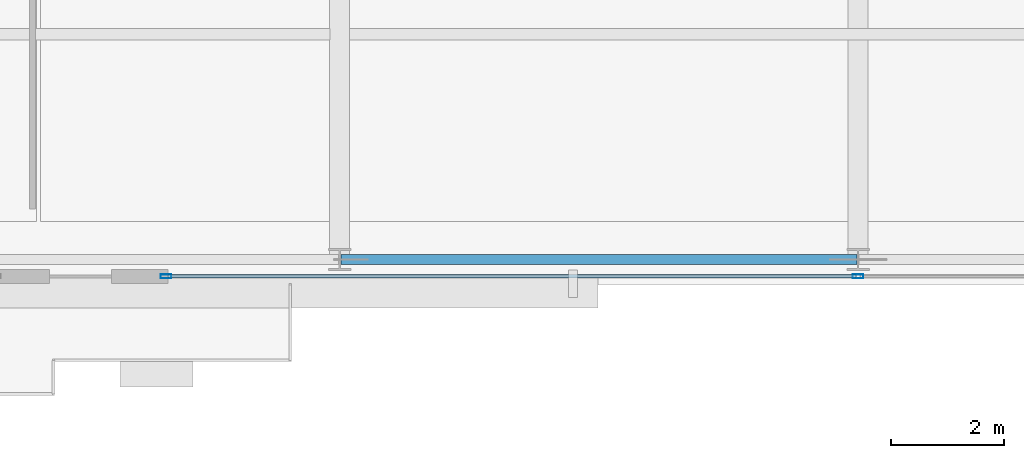
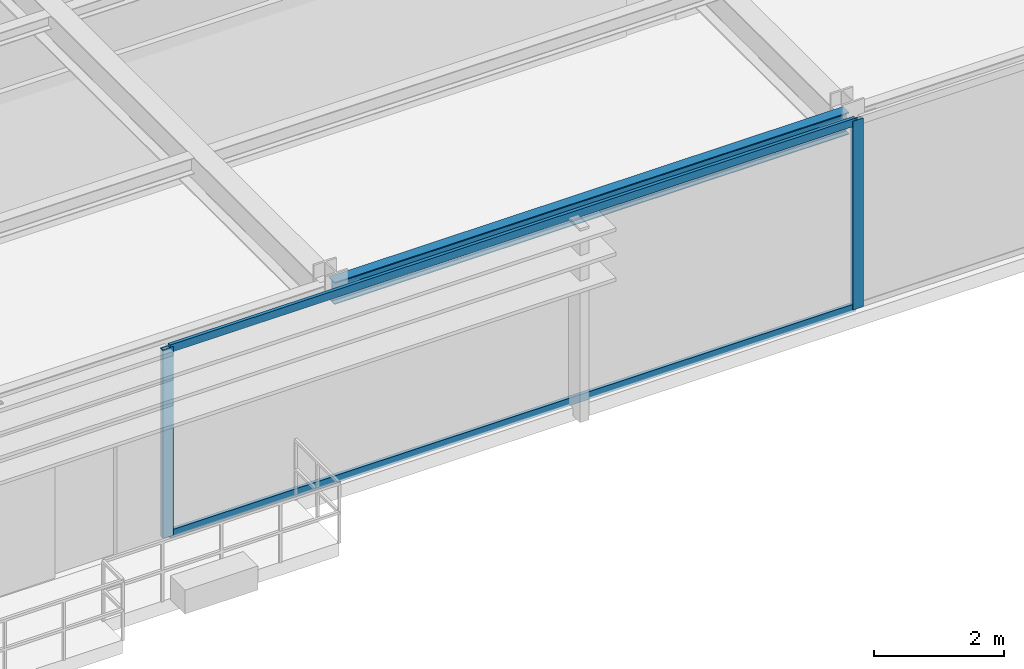
# One storey, part 6 of 36: 4 members, 1 beam, 1 element without a shape of its own.
"""IFC4 building model written with IfcOpenShell, lengths in metres."""

from ifc_helpers import new_model, si_unit, direction, frame, origin, origin_2d, place, context, subcontext, project, spatial, hollow_rectangle, i_section, extrude, source, transform, mapped, material, layer, layer_set, material_profile, profile_set, type_object, type_shapes, element, aggregate, save


model = new_model("IFC4")

# Units and contexts
model_context = context("Model", 3, precision=1e-05, world=origin(), true_north=direction((0.0, 1.0)))
body_context = subcontext(model_context, "Body", "Model", "MODEL_VIEW")
ifc_project = project(units=[si_unit("LENGTHUNIT", "METRE"), si_unit("AREAUNIT", "SQUARE_METRE"), si_unit("VOLUMEUNIT", "CUBIC_METRE"), si_unit("PLANEANGLEUNIT", "RADIAN"), si_unit("MASSUNIT", "GRAM", prefix="KILO")], contexts=[model_context])

# Site, building, storey
site_placement = place(None, origin())
site = spatial("IfcSite", under=ifc_project, at=site_placement, CompositionType="ELEMENT")
building_placement = place(site_placement, origin())
building = spatial("IfcBuilding", under=site, at=building_placement, Name="Varnel Quay Broadcast Tower", CompositionType="ELEMENT")
storey_placement = place(building_placement, frame((0.0, 0.0, 114.39990234375)))
storey = spatial("IfcBuildingStorey", under=building, at=storey_placement, Name="L27", CompositionType="ELEMENT", Elevation=114.39990234375)

# Beam
ifc_material_1 = material(Name="Structural Steel CSA G40.21 350W", Category="steel")
ifc_material_profile_1 = material_profile(ifc_material_1, i_section(OverallWidth=0.180908203125, OverallDepth=0.4169921875, WebThickness=0.010986328125, FlangeThickness=0.018310546875, FilletRadius=0.011962890625, at=origin_2d()), Name="W410X85")
ifc_profile_set_1 = profile_set([ifc_material_profile_1], Name="Structural Steel CSA G40.21 350W")
beam_type = type_object("IfcBeamType", Name="Beam_W410X85", PredefinedType="SPANDREL", material=ifc_profile_set_1)
shared_shape_1 = source(origin(), body_context, "Body", "SweptSolid", [
    extrude(i_section(OverallWidth=0.180908203125, OverallDepth=0.4169921875, WebThickness=0.010986328125, FlangeThickness=0.018310546875, FilletRadius=0.011962890625, at=origin_2d()), origin(), (0.0, 0.0, 1.0), 9.159912109375),
])
type_shapes(beam_type, [shared_shape_1])
beam_placement = place(storey_placement, frame((24.820068359375, 4.64990234375, 3.341552734375), z_axis=(1.0, 0.0, 0.0), x_axis=(0.0, 1.0, 0.0)))
element("IfcBeam", 1, at=beam_placement, inside=storey, type_object=beam_type, Name="L27 South Spandrel TC-S2-TC-S3", PredefinedType="SPANDREL", context=body_context, shape_type="MappedRepresentation", body=[
    mapped(shared_shape_1, transform((0.0, 0.0, 0.0), x_axis=(1.0, 0.0, 0.0), y_axis=(0.0, 1.0, 0.0), z_axis=(0.0, 0.0, 1.0), scale=1.0)),
])

# Curtain wall, members
ifc_material_2 = material(Name="Anodised Bronze Aluminium 6063-T6", Category="aluminium")
ifc_layer = layer(ifc_material_2, 0.18994140625, Name="Anodised Bronze Aluminium 6063-T6")
ifc_layer_set = layer_set([ifc_layer], Name="Anodised Bronze Aluminium 6063-T6")
curtain_wall_type = type_object("IfcCurtainWallType", Name="CW_LowerTower", PredefinedType="NOTDEFINED", material=ifc_layer_set)
curtain_wall_placement = place(storey_placement, origin())
curtain_wall = element("IfcCurtainWall", 2, at=curtain_wall_placement, inside=storey, type_object=curtain_wall_type, Name="L27 South Unitised Curtain Wall 2", PredefinedType="NOTDEFINED")
ifc_material_profile_2 = material_profile(ifc_material_2, hollow_rectangle(XDim=0.06005859375, YDim=0.14501953125, WallThickness=0.00341796875, at=origin_2d()), Name="ALU60X145X3.5")
ifc_profile_set_2 = profile_set([ifc_material_profile_2], Name="Anodised Bronze Aluminium 6063-T6")
member_type_1 = type_object("IfcMemberType", Name="Tran_CWS-02", PredefinedType="USERDEFINED", material=ifc_profile_set_2)
shared_shape_2 = source(origin(), body_context, "Body", "SweptSolid", [
    extrude(hollow_rectangle(XDim=0.06005859375, YDim=0.14501953125, WallThickness=0.00341796875, at=origin_2d()), origin(), (0.0, 0.0, 1.0), 12.215087890625),
])
type_shapes(member_type_1, [shared_shape_2])
member_1_placement = place(storey_placement, frame((21.75, 4.35009765625, 0.030029296875), z_axis=(1.0, 0.0, 0.0), x_axis=(0.0, 1.0, 0.0)))
member_1 = element("IfcMember", 3, at=member_1_placement, type_object=member_type_1, Name="CWS-02 transom 1.1", ObjectType="TRANSOM", PredefinedType="USERDEFINED", context=body_context, shape_type="MappedRepresentation", body=[
    mapped(shared_shape_2, transform((0.0, 0.0, 0.0), x_axis=(1.0, 0.0, 0.0), y_axis=(0.0, 1.0, 0.0), z_axis=(0.0, 0.0, 1.0), scale=1.0)),
])
member_2_placement = place(storey_placement, frame((21.75, 4.35009765625, 3.52001953125), z_axis=(1.0, 0.0, 0.0), x_axis=(0.0, 1.0, 0.0)))
member_2 = element("IfcMember", 4, at=member_2_placement, type_object=member_type_1, Name="CWS-02 transom 1.2", ObjectType="TRANSOM", PredefinedType="USERDEFINED", context=body_context, shape_type="MappedRepresentation", body=[
    mapped(shared_shape_2, transform((0.0, 0.0, 0.0), x_axis=(1.0, 0.0, 0.0), y_axis=(0.0, 1.0, 0.0), z_axis=(0.0, 0.0, 1.0), scale=1.0)),
])
ifc_material_profile_3 = material_profile(ifc_material_2, hollow_rectangle(XDim=0.070068359375, YDim=0.18994140625, WallThickness=0.00390625, at=origin_2d()), Name="ALU70X190X4")
ifc_profile_set_3 = profile_set([ifc_material_profile_3], Name="Anodised Bronze Aluminium 6063-T6")
member_type_2 = type_object("IfcMemberType", Name="Mull_CWS-02", PredefinedType="MULLION", material=ifc_profile_set_3)
shared_shape_3 = source(origin(), body_context, "Body", "SweptSolid", [
    extrude(hollow_rectangle(XDim=0.070068359375, YDim=0.18994140625, WallThickness=0.00390625, at=origin_2d()), origin(), (0.0, 0.0, 1.0), 3.550048828125),
])
type_shapes(member_type_2, [shared_shape_3])
member_3_placement = place(storey_placement, frame((21.715087890625, 4.35009765625, 0.0), z_axis=(0.0, 0.0, 1.0), x_axis=(0.0, 1.0, 0.0)))
member_3 = element("IfcMember", 5, at=member_3_placement, type_object=member_type_2, Name="CWS-02 mullion 1", PredefinedType="MULLION", context=body_context, shape_type="MappedRepresentation", body=[
    mapped(shared_shape_3, transform((0.0, 0.0, 0.0), x_axis=(1.0, 0.0, 0.0), y_axis=(0.0, 1.0, 0.0), z_axis=(0.0, 0.0, 1.0), scale=1.0)),
])
member_4_placement = place(storey_placement, frame((34.0, 4.35009765625, 0.0), z_axis=(0.0, 0.0, 1.0), x_axis=(0.0, 1.0, 0.0)))
member_4 = element("IfcMember", 6, at=member_4_placement, type_object=member_type_2, Name="CWS-02 mullion 2", PredefinedType="MULLION", context=body_context, shape_type="MappedRepresentation", body=[
    mapped(shared_shape_3, transform((0.0, 0.0, 0.0), x_axis=(1.0, 0.0, 0.0), y_axis=(0.0, 1.0, 0.0), z_axis=(0.0, 0.0, 1.0), scale=1.0)),
])
aggregate(curtain_wall, [member_3, member_4, member_1, member_2])

save(model, "model.ifc")
